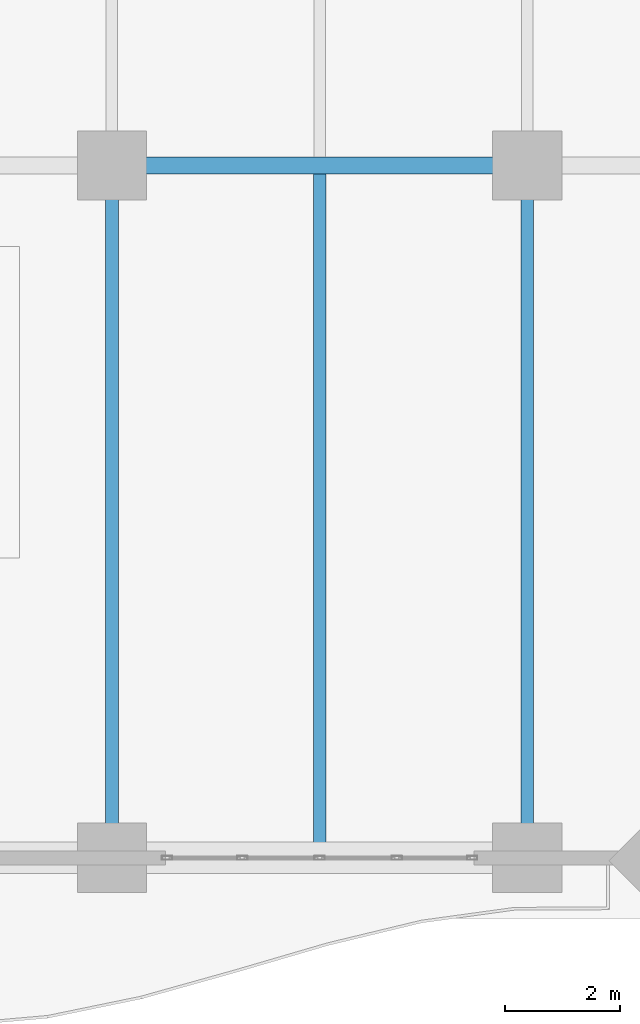
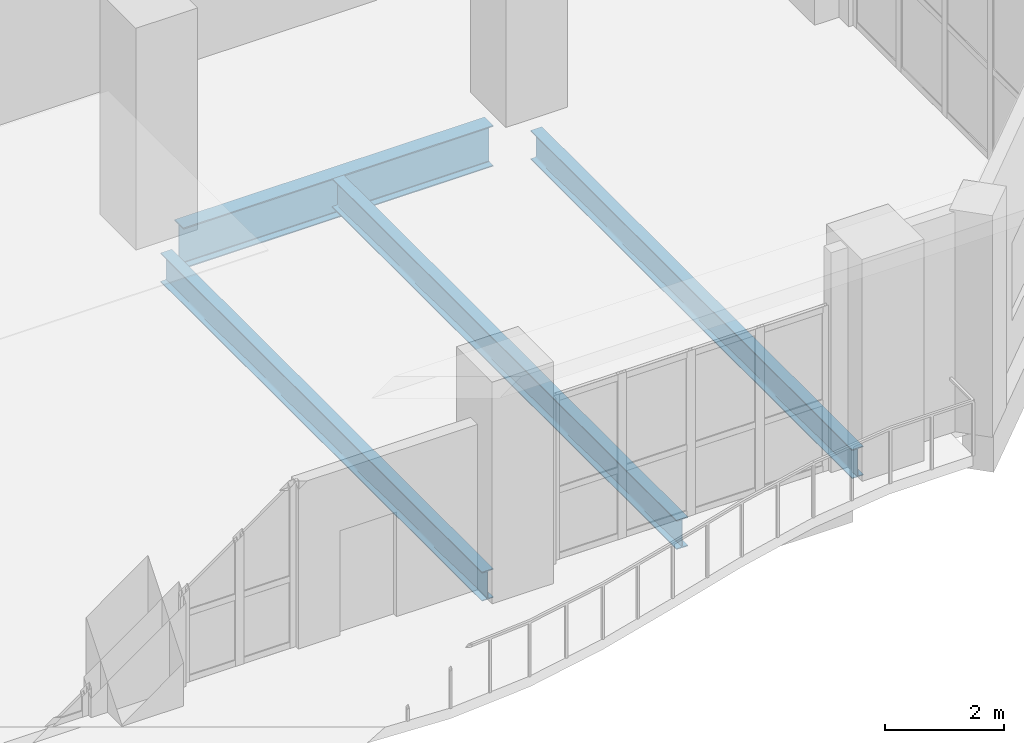
# One storey, part 19 of 37: 4 beams.
"""IFC4 building model written with IfcOpenShell, lengths in metres."""

from ifc_helpers import new_model, si_unit, direction, frame, origin, origin_2d, place, context, subcontext, project, spatial, i_section, extrude, material, material_profile, profile_set, type_object, element, save


model = new_model("IFC4")

# Units and contexts
model_context = context("Model", 3, precision=1e-05, world=origin(), true_north=direction((0.0, 1.0)))
body_context = subcontext(model_context, "Body", "Model", "MODEL_VIEW")
ifc_project = project(units=[si_unit("LENGTHUNIT", "METRE"), si_unit("AREAUNIT", "SQUARE_METRE"), si_unit("VOLUMEUNIT", "CUBIC_METRE"), si_unit("PLANEANGLEUNIT", "RADIAN"), si_unit("MASSUNIT", "GRAM", prefix="KILO")], contexts=[model_context])

# Site, building, storey
site_placement = place(None, origin())
site = spatial("IfcSite", under=ifc_project, at=site_placement, CompositionType="ELEMENT")
building_placement = place(site_placement, origin())
building = spatial("IfcBuilding", under=site, at=building_placement, Name="Kaelvorn Grand Hotel", CompositionType="ELEMENT")
storey_placement = place(building_placement, frame((0.0, 0.0, 224.35009765625)))
storey = spatial("IfcBuildingStorey", under=building, at=storey_placement, Name="L55", CompositionType="ELEMENT", Elevation=224.35009765625)

# Beams
ifc_material = material(Name="Steel S355", Category="steel")
ifc_material_profile_1 = material_profile(ifc_material, i_section(OverallWidth=0.29248046875, OverallDepth=0.8408203125, WebThickness=0.0146484375, FlangeThickness=0.021728515625, FilletRadius=0.017822265625, at=origin_2d()), Name="UB 838x292x194")
ifc_profile_set_1 = profile_set([ifc_material_profile_1], Name="Steel S355")
beam_type_1 = type_object("IfcBeamType", Name="BM-G-UB838-S355", PredefinedType="BEAM", material=ifc_profile_set_1)
beam_1_placement = place(storey_placement, frame((68.385009765625, 15.0, -0.660400390625), z_axis=(1.0, 0.0, 0.0), x_axis=(0.0, 1.0, 0.0)))
element("IfcBeam", 1, at=beam_1_placement, inside=storey, type_object=beam_type_1, Name="L55 Primary Spine Steel Girder G-15 06", PredefinedType="BEAM", context=body_context, shape_type="SweptSolid", body=[
    extrude(i_section(OverallWidth=0.29248046875, OverallDepth=0.8408203125, WebThickness=0.0146484375, FlangeThickness=0.021728515625, FilletRadius=0.017822265625, at=origin_2d()), origin(), (0.0, 0.0, 1.0), 6.030029296875),
])
ifc_material_profile_2 = material_profile(ifc_material, i_section(OverallWidth=0.219970703125, OverallDepth=0.60009765625, WebThickness=0.011962890625, FlangeThickness=0.01904296875, FilletRadius=0.02392578125, at=origin_2d()), Name="IPE 600")
ifc_profile_set_2 = profile_set([ifc_material_profile_2], Name="Steel S355")
beam_type_2 = type_object("IfcBeamType", Name="BM-J-IPE600-S355", PredefinedType="JOIST", material=ifc_profile_set_2)
beam_2_placement = place(storey_placement, frame((67.800048828125, 3.5849609375, -0.5400390625), z_axis=(0.0, 1.0, 0.0), x_axis=(-1.0, 0.0, 0.0)))
element("IfcBeam", 2, at=beam_2_placement, inside=storey, type_object=beam_type_2, Name="L55 Composite Floor Joist JS-19", PredefinedType="JOIST", context=body_context, shape_type="SweptSolid", body=[
    extrude(i_section(OverallWidth=0.219970703125, OverallDepth=0.60009765625, WebThickness=0.011962890625, FlangeThickness=0.01904296875, FilletRadius=0.02392578125, at=origin_2d()), origin(), (0.0, 0.0, 1.0), 10.830078125),
])
beam_3_placement = place(storey_placement, frame((71.39990234375, 3.260009765625, -0.5400390625), z_axis=(0.0, 1.0, 0.0), x_axis=(-1.0, 0.0, 0.0)))
element("IfcBeam", 3, at=beam_3_placement, inside=storey, type_object=beam_type_2, Name="L55 Composite Floor Joist JS-20", PredefinedType="JOIST", context=body_context, shape_type="SweptSolid", body=[
    extrude(i_section(OverallWidth=0.219970703125, OverallDepth=0.60009765625, WebThickness=0.011962890625, FlangeThickness=0.01904296875, FilletRadius=0.02392578125, at=origin_2d()), origin(), (0.0, 0.0, 1.0), 11.60888671875),
])
beam_4_placement = place(storey_placement, frame((75.0, 3.5849609375, -0.5400390625), z_axis=(0.0, 1.0, 0.0), x_axis=(-1.0, 0.0, 0.0)))
element("IfcBeam", 4, at=beam_4_placement, inside=storey, type_object=beam_type_2, Name="L55 Composite Floor Joist JS-21", PredefinedType="JOIST", context=body_context, shape_type="SweptSolid", body=[
    extrude(i_section(OverallWidth=0.219970703125, OverallDepth=0.60009765625, WebThickness=0.011962890625, FlangeThickness=0.01904296875, FilletRadius=0.02392578125, at=origin_2d()), origin(), (0.0, 0.0, 1.0), 10.830078125),
])

save(model, "model.ifc")
